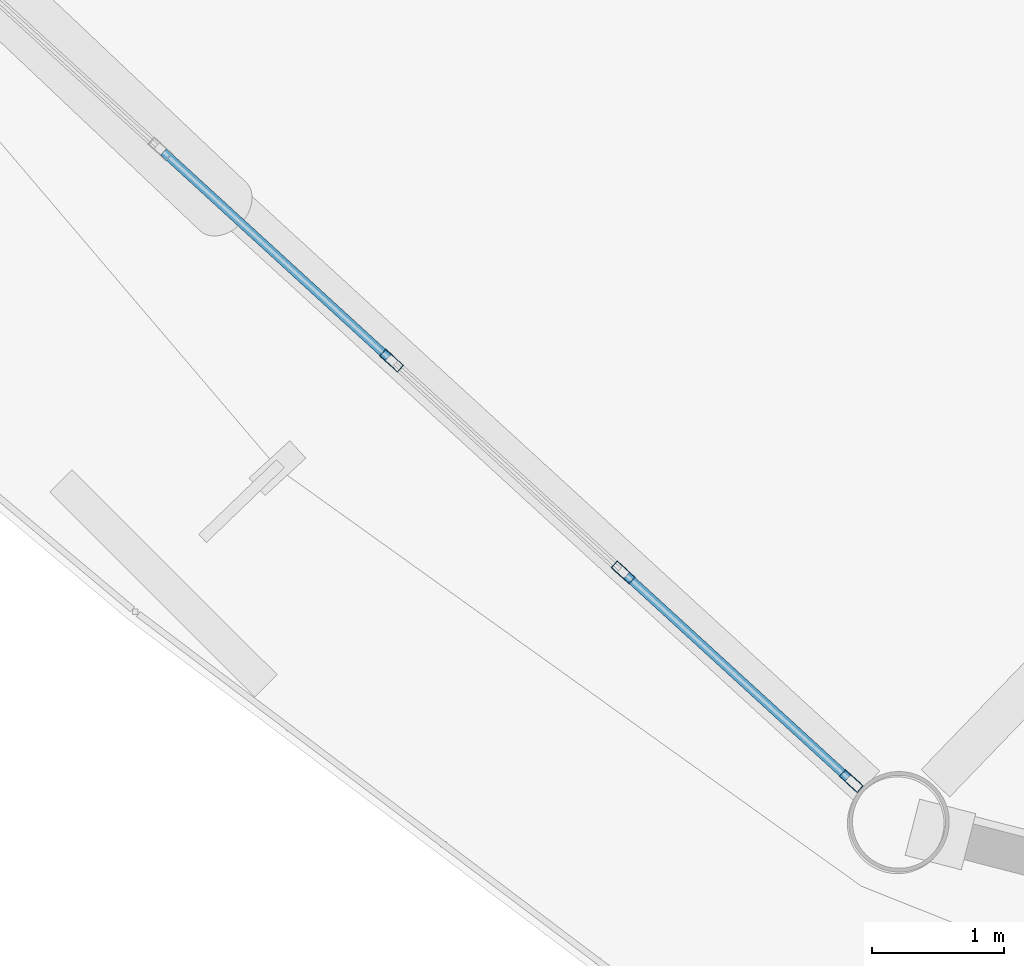
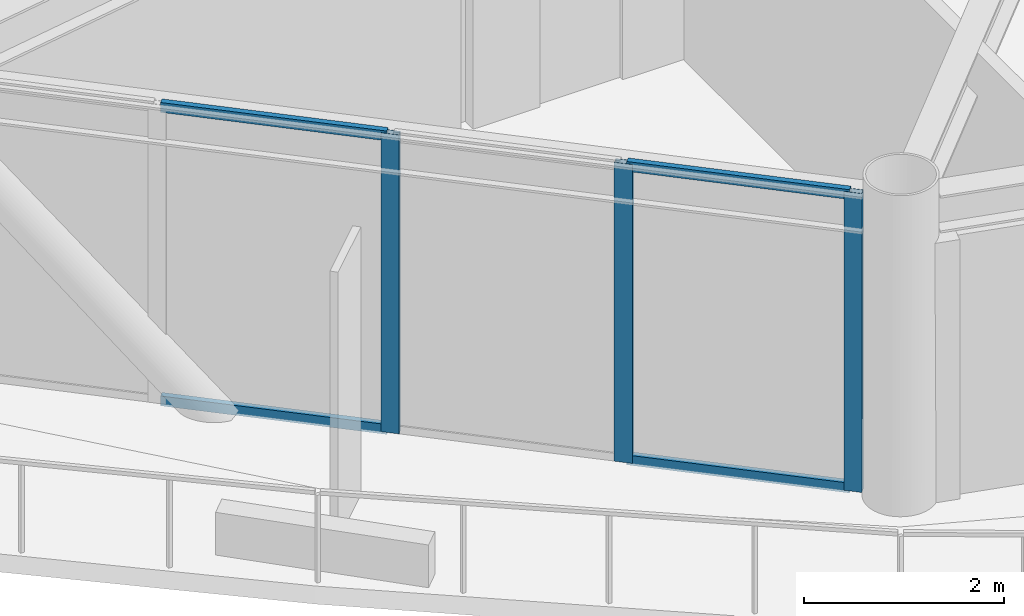
# One storey, part 2 of 23: 7 members, 1 element without a shape of its own.
"""IFC4 building model written with IfcOpenShell, lengths in metres."""

import ifcopenshell
import ifcopenshell.guid

model = None  # the IFC model being written
_history = None  # IfcOwnerHistory: only IFC2X3 demands one
_inside = {}  # id of a spatial element -> (the spatial element, [elements in it])
_under = {}  # id of a project, library or spatial element -> (it, [spatial elements below it])
_declared = {}  # id of a project -> (the project, [libraries it declares])
_typed = {}  # id of a type object -> (the type object, [elements of that type])
_made_of = {}  # id of a material, layer set ... -> (it, [elements and type objects made of it])


def new_model(schema):
    """Start an empty IFC model of exactly this schema.

    Asked for "IFC4X3", IfcOpenShell would pick the latest addendum, in which some entities
    have other attributes; the version numbers below select the first issue.
    IFC2X3 requires an IfcOwnerHistory on every rooted entity: one is made here for all.
    """
    global model, _history
    if schema == "IFC4X3":
        model = ifcopenshell.file(schema_version=(4, 3, 0, 0))
    else:
        model = ifcopenshell.file(schema=schema)
    _inside.clear()
    _under.clear()
    _declared.clear()
    _typed.clear()
    _made_of.clear()
    _history = None
    if model.schema == "IFC2X3":
        org = make("IfcOrganization", Name="unknown")
        user = make(
            "IfcPersonAndOrganization",
            ThePerson=make("IfcPerson", FamilyName="unknown"),
            TheOrganization=org,
        )
        app = make(
            "IfcApplication",
            ApplicationDeveloper=org,
            Version="unknown",
            ApplicationFullName="unknown",
            ApplicationIdentifier="unknown",
        )
        _history = make(
            "IfcOwnerHistory",
            OwningUser=user,
            OwningApplication=app,
            ChangeAction="ADDED",
            CreationDate=0,
        )
    return model


def make(cls, **values):
    """One entity of the class cls with the attributes given. An attribute that is None is left unset."""
    return model.create_entity(
        cls, **{name: value for name, value in values.items() if value is not None}
    )


def rooted(cls, **values):
    """An entity with a GlobalId (a new one), such as an element, a storey or a relation."""
    return make(cls, GlobalId=ifcopenshell.guid.new(), OwnerHistory=_history, **values)


def si_unit(unit_type, name, prefix=None):
    """IfcSIUnit, for example si_unit("LENGTHUNIT", "METRE", prefix="MILLI")."""
    return make("IfcSIUnit", UnitType=unit_type, Prefix=prefix, Name=name)


def assignment(units):
    """IfcUnitAssignment: the units of a project."""
    return None if units is None else make("IfcUnitAssignment", Units=units)


def point(xyz):
    """IfcCartesianPoint."""
    return None if xyz is None else make("IfcCartesianPoint", Coordinates=xyz)


def direction(xyz):
    """IfcDirection."""
    return None if xyz is None else make("IfcDirection", DirectionRatios=xyz)


def frame(location, z_axis=None, x_axis=None):
    """IfcAxis2Placement3D, a coordinate frame: its origin and axes. An axis left out is left unset."""
    return make(
        "IfcAxis2Placement3D",
        Location=point(location),
        Axis=direction(z_axis),
        RefDirection=direction(x_axis),
    )


def frame_2d(location, x_axis=None):
    """IfcAxis2Placement2D, a coordinate frame in the plane: its origin and x axis."""
    return make(
        "IfcAxis2Placement2D", Location=point(location), RefDirection=direction(x_axis)
    )


def origin():
    """The frame at (0, 0, 0) with its axes left unset."""
    return frame((0.0, 0.0, 0.0))


def origin_2d():
    """The frame at (0, 0) in the plane with its x axis left unset."""
    return frame_2d((0.0, 0.0))


def place(relative_to, where):
    """IfcLocalPlacement: puts the frame where relative to a parent placement (None: the world)."""
    return make(
        "IfcLocalPlacement", PlacementRelTo=relative_to, RelativePlacement=where
    )


def context(
    kind, dimensions, precision=None, world=None, true_north=None, identifier=None
):
    """IfcGeometricRepresentationContext, for example the 3D "Model" context."""
    return make(
        "IfcGeometricRepresentationContext",
        ContextIdentifier=identifier,
        ContextType=kind,
        CoordinateSpaceDimension=dimensions,
        Precision=precision,
        WorldCoordinateSystem=world,
        TrueNorth=true_north,
    )


def subcontext(parent, identifier, kind, view, scale=None):
    """IfcGeometricRepresentationSubContext, for example "Body" below "Model"."""
    return make(
        "IfcGeometricRepresentationSubContext",
        ContextIdentifier=identifier,
        ContextType=kind,
        ParentContext=parent,
        TargetScale=scale,
        TargetView=view,
    )


def project(units=None, contexts=None):
    """IfcProject with its units and contexts."""
    return rooted(
        "IfcProject",
        Name="project",
        RepresentationContexts=contexts,
        UnitsInContext=assignment(units),
    )


def spatial(cls, under=None, at=None, **own):
    """A site, building, storey or space (cls), placed at a placement, below another one or the project."""
    s = rooted(cls, ObjectPlacement=at, **own)
    if under is not None:
        _under.setdefault(under.id(), (under, []))[1].append(s)
    return s


def profile(cls, at=None, kind="AREA", **sizes):
    """A parametric profile (cls). Its sizes go by their IFC names, for example OverallWidth=200.0."""
    return make(cls, ProfileType=kind, Position=at, **sizes)


def hollow_rectangle(**sizes):
    """IfcRectangleHollowProfileDef."""
    return profile("IfcRectangleHollowProfileDef", **sizes)


def extrude(swept, where, along, depth):
    """IfcExtrudedAreaSolid: the profile swept, set in the frame where, extruded along a direction by depth."""
    return make(
        "IfcExtrudedAreaSolid",
        SweptArea=swept,
        Position=where,
        ExtrudedDirection=direction(along),
        Depth=depth,
    )


def shape(context_of_items, identifier, shape_type, items):
    """IfcShapeRepresentation: the items that make up one representation, for example the "Body"."""
    return make(
        "IfcShapeRepresentation",
        ContextOfItems=context_of_items,
        RepresentationIdentifier=identifier,
        RepresentationType=shape_type,
        Items=items,
    )


def material(Name=None, Category=None):
    """IfcMaterial."""
    return make("IfcMaterial", Name=Name, Category=Category)


def layer(
    of_material, thickness, ventilated=None, Name=None, Category=None, Priority=None
):
    """IfcMaterialLayer: one layer of a wall or slab, of a material (None: an air gap)."""
    return make(
        "IfcMaterialLayer",
        Material=of_material,
        LayerThickness=thickness,
        IsVentilated=ventilated,
        Name=Name,
        Category=Category,
        Priority=Priority,
    )


def layer_set(layers, Name=None):
    """IfcMaterialLayerSet."""
    return make("IfcMaterialLayerSet", MaterialLayers=layers, LayerSetName=Name)


def material_profile(
    of_material, cross_section, Name=None, Category=None, Priority=None
):
    """IfcMaterialProfile: a cross section and its material."""
    return make(
        "IfcMaterialProfile",
        Name=Name,
        Material=of_material,
        Profile=cross_section,
        Priority=Priority,
        Category=Category,
    )


def profile_set(profiles, Name=None, composite=None):
    """IfcMaterialProfileSet."""
    return make(
        "IfcMaterialProfileSet",
        Name=Name,
        MaterialProfiles=profiles,
        CompositeProfile=composite,
    )


def made_of(thing, what):
    """Note that an element or type object is made of a material, layer set ...; save() writes the relation."""
    if what is not None:
        _made_of.setdefault(what.id(), (what, []))[1].append(thing)
    return thing


def type_object(cls, material=None, **own):
    """A type object (cls), such as IfcWallType, which elements share."""
    return made_of(rooted(cls, **own), material)


def element(
    cls,
    number,
    at=None,
    inside=None,
    cuts=None,
    type_object=None,
    material=None,
    context=None,
    identifier="Body",
    shape_type=None,
    held_by="IfcProductDefinitionShape",
    body=None,
    shapes=None,
    **own,
):
    """One element of the class cls, such as IfcWall. Its Tag is "e" and its number.

    at: its placement. inside: the storey or other place that contains it. cuts: it is an
    opening in that element (IfcRelVoidsElement). A single representation is given by context,
    identifier, shape_type and body (its items); several are given by shapes. held_by: the class
    of the entity that holds the representations. save() writes the other relations.
    """
    e = rooted(cls, Tag="e%d" % number, ObjectPlacement=at, **own)
    if body is not None:
        shapes = [shape(context, identifier, shape_type, body)]
    if shapes is not None:
        e.Representation = make(held_by, Representations=shapes)
    if inside is not None:
        _inside.setdefault(inside.id(), (inside, []))[1].append(e)
    if cuts is not None:
        rooted(
            "IfcRelVoidsElement", RelatingBuildingElement=cuts, RelatedOpeningElement=e
        )
    if type_object is not None:
        _typed.setdefault(type_object.id(), (type_object, []))[1].append(e)
    return made_of(e, material)


def aggregate(whole, parts):
    """IfcRelAggregates: a whole, such as a stair, and the parts it consists of."""
    return rooted("IfcRelAggregates", RelatingObject=whole, RelatedObjects=parts)


def save(model, path):
    """Write the relations noted so far, then the file.

    IfcRelAggregates (storeys below a building ...), IfcRelContainedInSpatialStructure (elements
    in a storey), IfcRelDefinesByType, IfcRelAssociatesMaterial and IfcRelDeclares: one each for
    every whole, place, type object, material and project.
    """
    for whole, parts in _under.values():
        aggregate(whole, parts)
    for where, things in _inside.values():
        rooted(
            "IfcRelContainedInSpatialStructure",
            RelatedElements=things,
            RelatingStructure=where,
        )
    for kind, things in _typed.values():
        rooted("IfcRelDefinesByType", RelatedObjects=things, RelatingType=kind)
    for what, things in _made_of.values():
        rooted("IfcRelAssociatesMaterial", RelatedObjects=things, RelatingMaterial=what)
    for by, libraries in _declared.values():
        rooted("IfcRelDeclares", RelatingContext=by, RelatedDefinitions=libraries)
    model.write(path)


model = new_model("IFC4")

# Units and contexts
model_context = context("Model", 3, precision=1e-05, world=origin(), true_north=direction((0.0, 1.0)))
body_context = subcontext(model_context, "Body", "Model", "MODEL_VIEW")
ifc_project = project(units=[si_unit("LENGTHUNIT", "METRE"), si_unit("AREAUNIT", "SQUARE_METRE"), si_unit("VOLUMEUNIT", "CUBIC_METRE"), si_unit("PLANEANGLEUNIT", "RADIAN"), si_unit("MASSUNIT", "GRAM", prefix="KILO")], contexts=[model_context])

# Site, building, storey
site_placement = place(None, origin())
site = spatial("IfcSite", under=ifc_project, at=site_placement, CompositionType="ELEMENT")
building_placement = place(site_placement, origin())
building = spatial("IfcBuilding", under=site, at=building_placement, Name="Varnakorn Sky Granary", CompositionType="ELEMENT")
storey_placement = place(building_placement, frame((0.0, 0.0, 130.5)))
storey = spatial("IfcBuildingStorey", under=building, at=storey_placement, Name="L32", CompositionType="ELEMENT", Elevation=130.5)

# Curtain wall, members
ifc_material = material(Name="Anodised Bronze Aluminium Alloy 6063-T6", Category="aluminium")
ifc_layer = layer(ifc_material, 0.179931640625, Name="Anodised Bronze Aluminium Alloy 6063-T6")
ifc_layer_set = layer_set([ifc_layer], Name="Anodised Bronze Aluminium Alloy 6063-T6")
curtain_wall_type = type_object("IfcCurtainWallType", Name="CW-FRM-2", PredefinedType="USERDEFINED", material=ifc_layer_set)
curtain_wall_placement = place(storey_placement, origin())
curtain_wall = element("IfcCurtainWall", 1, at=curtain_wall_placement, inside=storey, type_object=curtain_wall_type, Name="Unitised Curtain Wall CW4 CW-L32-B08", ObjectType="CURTAIN WALL", PredefinedType="USERDEFINED")
ifc_material_profile_1 = material_profile(ifc_material, hollow_rectangle(XDim=0.070068359375, YDim=0.18505859375, WallThickness=0.00390625, at=origin_2d()), Name="ALU MULL 70x185")
ifc_profile_set_1 = profile_set([ifc_material_profile_1], Name="Anodised Bronze Aluminium Alloy 6063-T6")
member_type_1 = type_object("IfcMemberType", Name="CW-FRM-2-MULL", PredefinedType="MULLION", material=ifc_profile_set_1)
member_1_placement = place(storey_placement, frame((-12.34228515625, -16.298583984375, 0.0), z_axis=(0.0, 0.0, 1.0), x_axis=(-0.67491752589, -0.737893171975, 0.0)))
member_1 = element("IfcMember", 2, at=member_1_placement, type_object=member_type_1, Name="CW4 mullion 1", PredefinedType="MULLION", context=body_context, shape_type="SweptSolid", body=[
    extrude(hollow_rectangle(XDim=0.070068359375, YDim=0.18505859375, WallThickness=0.00390625, at=origin_2d()), origin(), (0.0, 0.0, 1.0), 3.639892578125),
])
member_2_placement = place(storey_placement, frame((-14.07373046875, -14.715087890625, 0.0), z_axis=(0.0, 0.0, 1.0), x_axis=(-0.67491752589, -0.737893171975, 0.0)))
member_2 = element("IfcMember", 3, at=member_2_placement, type_object=member_type_1, Name="CW4 mullion 2", PredefinedType="MULLION", context=body_context, shape_type="SweptSolid", body=[
    extrude(hollow_rectangle(XDim=0.070068359375, YDim=0.18505859375, WallThickness=0.00390625, at=origin_2d()), origin(), (0.0, 0.0, 1.0), 3.639892578125),
])
member_3_placement = place(storey_placement, frame((-15.8310546875, -13.107666015625, 0.0), z_axis=(0.0, 0.0, 1.0), x_axis=(-0.67491752589, -0.737893171975, 0.0)))
member_3 = element("IfcMember", 4, at=member_3_placement, type_object=member_type_1, Name="CW4 mullion 3", PredefinedType="MULLION", context=body_context, shape_type="SweptSolid", body=[
    extrude(hollow_rectangle(XDim=0.070068359375, YDim=0.18505859375, WallThickness=0.00390625, at=origin_2d()), origin(), (0.0, 0.0, 1.0), 3.639892578125),
])
ifc_material_profile_2 = material_profile(ifc_material, hollow_rectangle(XDim=0.06494140625, YDim=0.1201171875, WallThickness=0.00341796875, at=origin_2d()), Name="ALU TRAN 65x120")
ifc_profile_set_2 = profile_set([ifc_material_profile_2], Name="Anodised Bronze Aluminium Alloy 6063-T6")
member_type_2 = type_object("IfcMemberType", Name="CW-FRM-2-TRAN", PredefinedType="USERDEFINED", material=ifc_profile_set_2)
member_4_placement = place(storey_placement, frame((-12.3681640625, -16.275146484375, 0.032470703125), z_axis=(-0.73783041194, 0.674986135574, 0.0), x_axis=(-0.674986135574, -0.73783041194, 0.0)))
member_4 = element("IfcMember", 5, at=member_4_placement, type_object=member_type_2, Name="CW4 transom 1.1", ObjectType="TRANSOM", PredefinedType="USERDEFINED", context=body_context, shape_type="SweptSolid", body=[
    extrude(hollow_rectangle(XDim=0.06494140625, YDim=0.1201171875, WallThickness=0.00341796875, at=origin_2d()), origin(), (0.0, 0.0, 1.0), 2.276611328125),
])
member_5_placement = place(storey_placement, frame((-12.3681640625, -16.275146484375, 3.607421875), z_axis=(-0.73783041194, 0.674986135574, 0.0), x_axis=(-0.674986135574, -0.73783041194, 0.0)))
member_5 = element("IfcMember", 6, at=member_5_placement, type_object=member_type_2, Name="CW4 transom 1.2", ObjectType="TRANSOM", PredefinedType="USERDEFINED", context=body_context, shape_type="SweptSolid", body=[
    extrude(hollow_rectangle(XDim=0.06494140625, YDim=0.1201171875, WallThickness=0.00341796875, at=origin_2d()), origin(), (0.0, 0.0, 1.0), 2.276611328125),
])
member_6_placement = place(storey_placement, frame((-15.856689453125, -13.083984375, 0.032470703125), z_axis=(-0.737929622989, 0.674877671519, 0.0), x_axis=(-0.674877671519, -0.737929622989, 0.0)))
member_6 = element("IfcMember", 7, at=member_6_placement, type_object=member_type_2, Name="CW4 transom 3.1", ObjectType="TRANSOM", PredefinedType="USERDEFINED", context=body_context, shape_type="SweptSolid", body=[
    extrude(hollow_rectangle(XDim=0.06494140625, YDim=0.1201171875, WallThickness=0.00341796875, at=origin_2d()), origin(), (0.0, 0.0, 1.0), 2.3115234375),
])
member_7_placement = place(storey_placement, frame((-15.856689453125, -13.083984375, 3.607421875), z_axis=(-0.737929622989, 0.674877671519, 0.0), x_axis=(-0.674877671519, -0.737929622989, 0.0)))
member_7 = element("IfcMember", 8, at=member_7_placement, type_object=member_type_2, Name="CW4 transom 3.2", ObjectType="TRANSOM", PredefinedType="USERDEFINED", context=body_context, shape_type="SweptSolid", body=[
    extrude(hollow_rectangle(XDim=0.06494140625, YDim=0.1201171875, WallThickness=0.00341796875, at=origin_2d()), origin(), (0.0, 0.0, 1.0), 2.3115234375),
])
aggregate(curtain_wall, [member_1, member_2, member_3, member_4, member_5, member_6, member_7])

save(model, "model.ifc")
